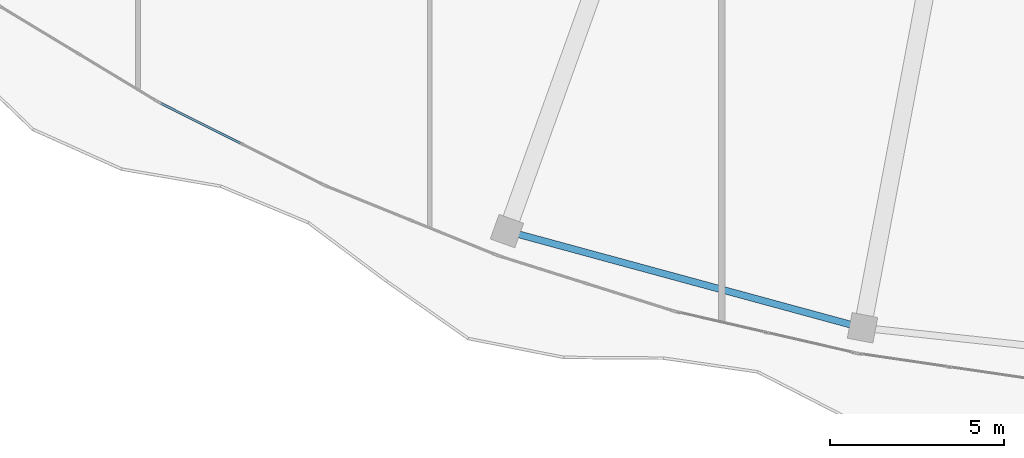
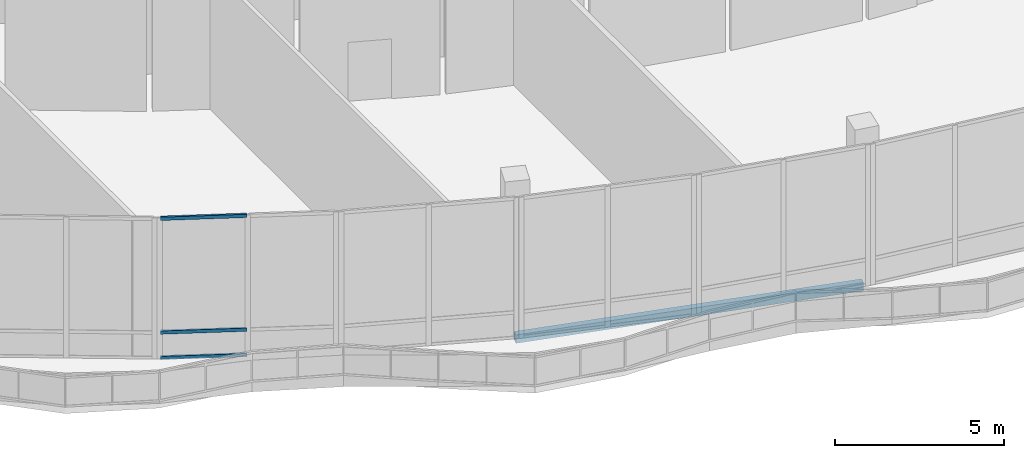
# One storey, part 17 of 158: 3 members, 1 beam, 1 element without a shape of its own.
"""IFC4 building model written with IfcOpenShell, lengths in metres."""

from ifc_helpers import new_model, si_unit, direction, frame, origin, origin_2d, place, context, subcontext, project, spatial, hollow_rectangle, extrude, material, material_profile, profile_set, type_object, element, aggregate, save


model = new_model("IFC4")

# Units and contexts
model_context = context("Model", 3, precision=1e-05, world=origin(), true_north=direction((0.0, 1.0)))
body_context = subcontext(model_context, "Body", "Model", "MODEL_VIEW")
ifc_project = project(units=[si_unit("LENGTHUNIT", "METRE"), si_unit("AREAUNIT", "SQUARE_METRE"), si_unit("VOLUMEUNIT", "CUBIC_METRE"), si_unit("PLANEANGLEUNIT", "RADIAN"), si_unit("MASSUNIT", "GRAM", prefix="KILO")], contexts=[model_context])

# Site, building, storey
site_placement = place(None, origin())
site = spatial("IfcSite", under=ifc_project, at=site_placement, CompositionType="ELEMENT")
building_placement = place(site_placement, origin())
building = spatial("IfcBuilding", under=site, at=building_placement, Name="Selatvlak General Hospital", CompositionType="ELEMENT")
storey_placement = place(building_placement, origin())
storey = spatial("IfcBuildingStorey", under=building, at=storey_placement, Name="L00", CompositionType="ELEMENT", Elevation=0.0)

# Beam
ifc_material_1 = material(Name="Steel S355", Category="steel")
ifc_material_profile_1 = material_profile(ifc_material_1, hollow_rectangle(XDim=0.199951171875, YDim=0.300048828125, WallThickness=0.011962890625, at=origin_2d()), Name="RHS 300x200x12")
ifc_profile_set_1 = profile_set([ifc_material_profile_1], Name="Steel S355")
beam_type = type_object("IfcBeamType", Name="BM-SP3", PredefinedType="SPANDREL", material=ifc_profile_set_1)
beam_placement = place(storey_placement, frame((33.4189453125, 16.68603515625, -0.5), z_axis=(0.964929381724, -0.26250959656, 0.0), x_axis=(0.26250959656, 0.964929381724, 0.0)))
element("IfcBeam", 1, at=beam_placement, inside=storey, type_object=beam_type, Name="Beam BMR-L00-0369", PredefinedType="SPANDREL", context=body_context, shape_type="SweptSolid", body=[
    extrude(hollow_rectangle(XDim=0.199951171875, YDim=0.300048828125, WallThickness=0.011962890625, at=origin_2d()), origin(), (0.0, 0.0, 1.0), 10.60498046875),
])

# Curtain wall, members
ifc_material_2 = material(Name="Solar-control Low-E double glazing", Category="glass")
curtain_wall_type = type_object("IfcCurtainWallType", Name="CW-CW-02", PredefinedType="USERDEFINED", material=ifc_material_2)
curtain_wall_placement = place(storey_placement, origin())
curtain_wall = element("IfcCurtainWall", 2, at=curtain_wall_placement, inside=storey, type_object=curtain_wall_type, Name="Glazed facade curtain wall CW-L00-0060", ObjectType="UNITISED CURTAIN WALL", PredefinedType="USERDEFINED")
ifc_material_3 = material(Name="Dark anodised aluminium mullion", Category="aluminium")
ifc_material_profile_2 = material_profile(ifc_material_3, hollow_rectangle(XDim=0.06494140625, YDim=0.1201171875, WallThickness=0.00390625, at=origin_2d()), Name="AL-TRN 65x120x4")
ifc_profile_set_2 = profile_set([ifc_material_profile_2], Name="Dark anodised aluminium mullion")
member_type = type_object("IfcMemberType", Name="CWT-01", PredefinedType="USERDEFINED", material=ifc_profile_set_2)
member_1_placement = place(storey_placement, frame((25.741455078125, 19.221435546875, 0.032470703125), z_axis=(-0.894235295067, 0.44759718169, 0.0), x_axis=(-0.44759718169, -0.894235295067, 0.0)))
member_1 = element("IfcMember", 3, at=member_1_placement, type_object=member_type, Name="CW-02 transom 2.1", ObjectType="TRANSOM", PredefinedType="USERDEFINED", context=body_context, shape_type="SweptSolid", body=[
    extrude(hollow_rectangle(XDim=0.06494140625, YDim=0.1201171875, WallThickness=0.00390625, at=origin_2d()), origin(), (0.0, 0.0, 1.0), 2.545654296875),
])
member_2_placement = place(storey_placement, frame((25.741455078125, 19.221435546875, 0.949951171875), z_axis=(-0.894235295067, 0.44759718169, 0.0), x_axis=(-0.44759718169, -0.894235295067, 0.0)))
member_2 = element("IfcMember", 4, at=member_2_placement, type_object=member_type, Name="CW-02 transom 2.2", ObjectType="TRANSOM", PredefinedType="USERDEFINED", context=body_context, shape_type="SweptSolid", body=[
    extrude(hollow_rectangle(XDim=0.06494140625, YDim=0.1201171875, WallThickness=0.00390625, at=origin_2d()), origin(), (0.0, 0.0, 1.0), 2.545654296875),
])
member_3_placement = place(storey_placement, frame((25.741455078125, 19.221435546875, 5.047607421875), z_axis=(-0.894235295067, 0.44759718169, 0.0), x_axis=(-0.44759718169, -0.894235295067, 0.0)))
member_3 = element("IfcMember", 5, at=member_3_placement, type_object=member_type, Name="CW-02 transom 2.3", ObjectType="TRANSOM", PredefinedType="USERDEFINED", context=body_context, shape_type="SweptSolid", body=[
    extrude(hollow_rectangle(XDim=0.06494140625, YDim=0.1201171875, WallThickness=0.00390625, at=origin_2d()), origin(), (0.0, 0.0, 1.0), 2.545654296875),
])
aggregate(curtain_wall, [member_1, member_2, member_3])

save(model, "model.ifc")
